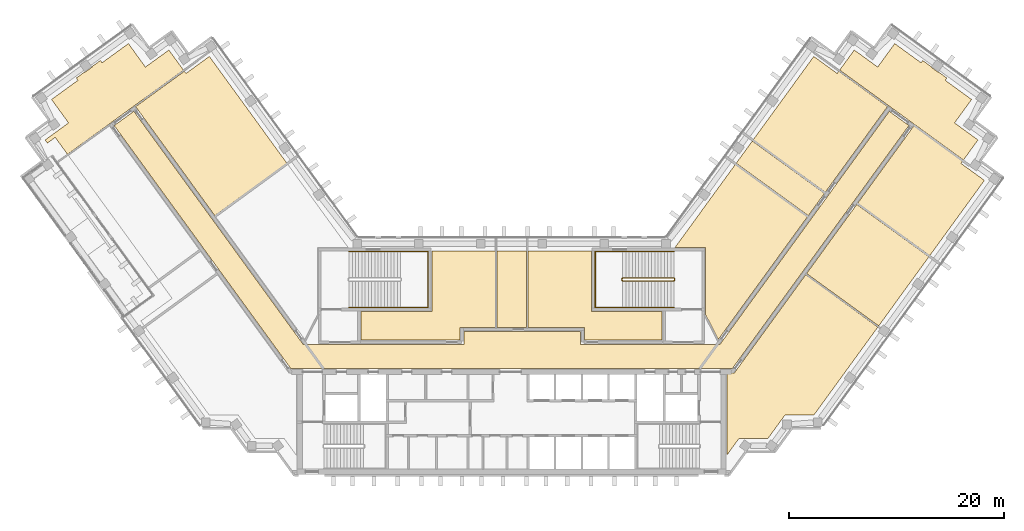
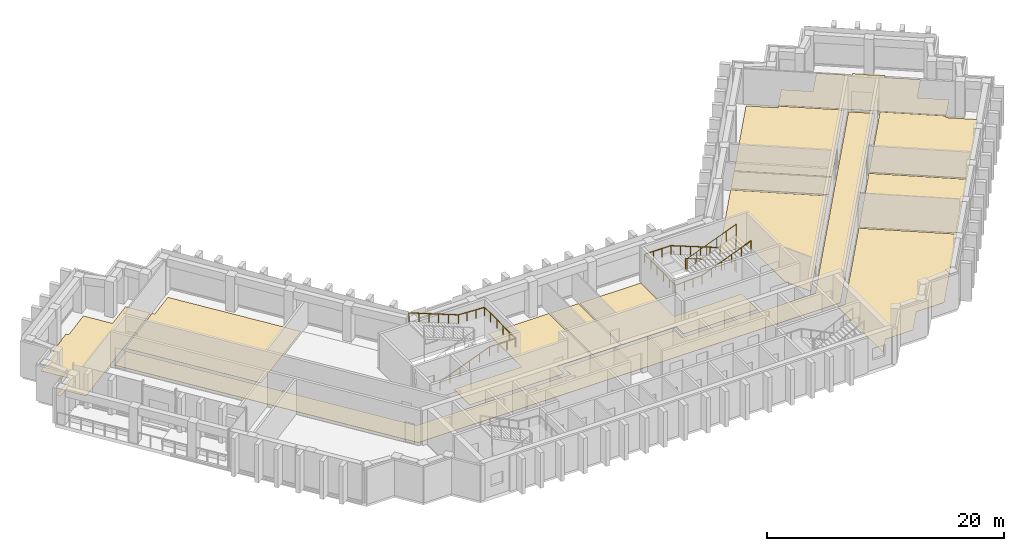
# One storey, part 12 of 12: 13 coverings, 3 railings.
"""IFC4 building model written with IfcOpenShell, lengths in metres."""

from ifc_helpers import new_model, si_unit, direction, frame, origin, origin_2d, place, context, subcontext, project, spatial, polyline, circle, outline, extrude, material, layer, layer_set, type_object, element, save


model = new_model("IFC4")

# Units and contexts
model_context = context("Model", 3, precision=1e-05, world=origin(), true_north=direction((0.0, 1.0)))
body_context = subcontext(model_context, "Body", "Model", "MODEL_VIEW")
ifc_project = project(units=[si_unit("LENGTHUNIT", "METRE"), si_unit("AREAUNIT", "SQUARE_METRE"), si_unit("VOLUMEUNIT", "CUBIC_METRE"), si_unit("PLANEANGLEUNIT", "RADIAN"), si_unit("MASSUNIT", "GRAM", prefix="KILO")], contexts=[model_context])

# Site, building, storey
site_placement = place(None, origin())
site = spatial("IfcSite", under=ifc_project, at=site_placement, CompositionType="ELEMENT")
building_placement = place(site_placement, origin())
building = spatial("IfcBuilding", under=site, at=building_placement, Name="Quipu Civic Tower", CompositionType="ELEMENT")
storey_placement = place(building_placement, frame((0.0, 0.0, 152.0)))
storey = spatial("IfcBuildingStorey", under=building, at=storey_placement, Name="L35", CompositionType="ELEMENT", Elevation=152.0)

# Coverings
ifc_material_1 = material(Name="Carpet tile on raised access floor")
ifc_layer_1 = layer(ifc_material_1, 0.02001953125)
ifc_layer_set_1 = layer_set([ifc_layer_1], Name="Carpet tile on raised access floor")
covering_type_1 = type_object("IfcCoveringType", Name="Carpet tile floor finish 20", PredefinedType="FLOORING", material=ifc_layer_set_1)
covering_1_placement = place(storey_placement, origin())
element("IfcCovering", 1, at=covering_1_placement, inside=storey, type_object=covering_type_1, Name="Carpet tile floor finish 20", PredefinedType="FLOORING", context=body_context, shape_type="SweptSolid", body=[
    extrude(outline(polyline([(-43.47802734375, 20.18505859375), (-41.2939453125, 21.77294921875), (-42.881103515625, 23.95703125), (-40.424072265625, 25.740966796875), (-40.574951171875, 25.952880859375), (-39.81298828125, 26.507080078125), (-39.80908203125, 26.5029296875), (-39.804931640625, 26.5009765625), (-39.801025390625, 26.498046875), (-39.7958984375, 26.49609375), (-39.7919921875, 26.4951171875), (-39.787109375, 26.493896484375), (-39.781982421875, 26.492919921875), (-39.777099609375, 26.492919921875), (-39.77197265625, 26.493896484375), (-39.76806640625, 26.4951171875), (-39.762939453125, 26.49609375), (-39.758056640625, 26.498046875), (-39.75390625, 26.5), (-39.75, 26.5029296875), (-39.10302734375, 26.972900390625), (-39.09912109375, 26.97607421875), (-39.094970703125, 26.97998046875), (-39.092041015625, 26.98291015625), (-39.089111328125, 26.987060546875), (-39.0869140625, 26.991943359375), (-39.0849609375, 26.99609375), (-39.083984375, 27.0009765625), (-39.0830078125, 27.006103515625), (-39.08203125, 27.010986328125), (-39.08203125, 27.014892578125), (-39.08203125, 27.02001953125), (-39.0830078125, 27.02490234375), (-39.0849609375, 27.030029296875), (-39.0869140625, 27.033935546875), (-38.324951171875, 27.587890625), (-38.169921875, 27.37890625), (-35.712890625, 29.1640625), (-34.126953125, 26.97998046875), (-31.94189453125, 28.56591796875), (-30.583984375, 26.697021484375), (-41.39208984375, 18.844970703125), (-42.537109375, 20.422119140625), (-43.26611328125, 19.89404296875), (-43.47802734375, 20.18505859375)])), origin(), (0.0, 0.0, 1.0), 0.02001953125),
])
covering_2_placement = place(storey_placement, origin())
element("IfcCovering", 2, at=covering_2_placement, inside=storey, type_object=covering_type_1, Name="Carpet tile floor finish 20", PredefinedType="FLOORING", context=body_context, shape_type="SweptSolid", body=[
    extrude(outline(polyline([(15.238037109375, 10.169921875), (20.85498046875, 17.90087890625), (27.577880859375, 13.01708984375), (19.27197265625, 1.583984375), (18.070068359375, 3.94189453125), (18.070068359375, 10.1689453125), (15.238037109375, 10.169921875)])), origin(), (0.0, 0.0, 1.0), 0.02001953125),
])
covering_3_placement = place(storey_placement, origin())
element("IfcCovering", 3, at=covering_3_placement, inside=storey, type_object=covering_type_1, Name="Carpet tile floor finish 20", PredefinedType="FLOORING", context=body_context, shape_type="SweptSolid", body=[
    extrude(outline(polyline([(22.52490234375, 20.197998046875), (28.169921875, 27.968994140625), (30.35302734375, 26.383056640625), (30.5009765625, 26.583984375), (35.0400390625, 23.2880859375), (29.248046875, 15.31396484375), (22.52490234375, 20.197998046875)])), origin(), (0.0, 0.0, 1.0), 0.02001953125),
])
covering_4_placement = place(storey_placement, origin())
element("IfcCovering", 4, at=covering_4_placement, inside=storey, type_object=covering_type_1, Name="Carpet tile floor finish 20", PredefinedType="FLOORING", context=body_context, shape_type="SweptSolid", body=[
    extrude(outline(polyline([(20.070068359375, -9.195068359375), (20.070068359375, -1.52001953125), (20.77490234375, -1.51904296875), (27.416015625, 7.62109375), (34.138916015625, 2.738037109375), (28.181884765625, -5.4609375), (25.48193359375, -5.4619140625), (23.89501953125, -7.64599609375), (21.196044921875, -7.64599609375), (20.070068359375, -9.195068359375)])), origin(), (0.0, 0.0, 1.0), 0.02001953125),
])
covering_5_placement = place(storey_placement, origin())
element("IfcCovering", 5, at=covering_5_placement, inside=storey, type_object=covering_type_1, Name="Carpet tile floor finish 20", PredefinedType="FLOORING", context=body_context, shape_type="SweptSolid", body=[
    extrude(outline(polyline([(-14.030029296875, 1.52001953125), (-14.030029296875, 4.179931640625), (-7.429931640625, 4.180908203125), (-7.429931640625, 9.830078125), (-1.510009765625, 9.830078125), (-1.510009765625, 2.719970703125), (-4.819091796875, 2.719970703125), (-4.820068359375, 1.52001953125), (-14.030029296875, 1.52001953125)])), origin(), (0.0, 0.0, 1.0), 0.02001953125),
])
covering_6_placement = place(storey_placement, origin())
element("IfcCovering", 6, at=covering_6_placement, inside=storey, type_object=covering_type_1, Name="Carpet tile floor finish 20", PredefinedType="FLOORING", context=body_context, shape_type="SweptSolid", body=[
    extrude(outline(polyline([(-35.0400390625, 23.2880859375), (-30.5009765625, 26.583984375), (-30.35302734375, 26.383056640625), (-28.169921875, 27.968994140625), (-20.93798828125, 18.013916015625), (-27.660888671875, 13.1298828125), (-35.0400390625, 23.2880859375)])), origin(), (0.0, 0.0, 1.0), 0.02001953125),
])
covering_7_placement = place(storey_placement, origin())
element("IfcCovering", 7, at=covering_7_placement, inside=storey, type_object=covering_type_1, Name="Carpet tile floor finish 20", PredefinedType="FLOORING", context=body_context, shape_type="SweptSolid", body=[
    extrude(outline(polyline([(30.583984375, 26.697021484375), (31.94189453125, 28.56591796875), (34.126953125, 26.97998046875), (35.712890625, 29.1640625), (38.169921875, 27.37890625), (38.324951171875, 27.587890625), (39.0869140625, 27.033935546875), (39.0849609375, 27.030029296875), (39.0830078125, 27.02490234375), (39.08203125, 27.02001953125), (39.08203125, 27.014892578125), (39.08203125, 27.010986328125), (39.0830078125, 27.006103515625), (39.083984375, 27.0009765625), (39.0849609375, 26.99609375), (39.0869140625, 26.991943359375), (39.089111328125, 26.987060546875), (39.092041015625, 26.98291015625), (39.094970703125, 26.97998046875), (39.09912109375, 26.97607421875), (39.10302734375, 26.972900390625), (39.75, 26.5029296875), (39.75390625, 26.5), (39.758056640625, 26.498046875), (39.762939453125, 26.49609375), (39.76806640625, 26.4951171875), (39.77197265625, 26.493896484375), (39.777099609375, 26.492919921875), (39.781982421875, 26.492919921875), (39.787109375, 26.493896484375), (39.7919921875, 26.4951171875), (39.7958984375, 26.49609375), (39.801025390625, 26.498046875), (39.804931640625, 26.5009765625), (39.80908203125, 26.5029296875), (39.81298828125, 26.507080078125), (40.574951171875, 25.952880859375), (40.424072265625, 25.740966796875), (42.881103515625, 23.95703125), (41.2939453125, 21.77294921875), (43.47802734375, 20.18505859375), (42.12109375, 18.31591796875), (30.583984375, 26.697021484375)])), origin(), (0.0, 0.0, 1.0), 0.02001953125),
])
ifc_material_2 = material(Name="Ceramic floor tile")
ifc_layer_2 = layer(ifc_material_2, 0.030029296875)
ifc_layer_set_2 = layer_set([ifc_layer_2], Name="Ceramic floor tile")
covering_type_2 = type_object("IfcCoveringType", Name="Ceramic tile floor finish 30", PredefinedType="FLOORING", material=ifc_layer_set_2)
covering_8_placement = place(storey_placement, origin())
element("IfcCovering", 8, at=covering_8_placement, inside=storey, type_object=covering_type_2, Name="Ceramic tile floor finish 30", PredefinedType="FLOORING", context=body_context, shape_type="SweptSolid", body=[
    extrude(outline(polyline([(27.4990234375, 7.73388671875), (32.177001953125, 14.174072265625), (38.89990234375, 9.291015625), (34.221923828125, 2.85107421875), (27.4990234375, 7.73388671875)])), origin(), (0.0, 0.0, 1.0), 0.030029296875),
])
covering_9_placement = place(storey_placement, origin())
element("IfcCovering", 9, at=covering_9_placement, inside=storey, type_object=covering_type_2, Name="Ceramic tile floor finish 30", PredefinedType="FLOORING", context=body_context, shape_type="SweptSolid", body=[
    extrude(outline(polyline([(1.510009765625, 2.719970703125), (1.510009765625, 9.830078125), (7.429931640625, 9.830078125), (7.430908203125, 4.179931640625), (14.030029296875, 4.179931640625), (14.030029296875, 1.52001953125), (6.820068359375, 1.52001953125), (6.818115234375, 2.719970703125), (1.510009765625, 2.719970703125)])), origin(), (0.0, 0.0, 1.0), 0.030029296875),
])
covering_10_placement = place(storey_placement, origin())
element("IfcCovering", 10, at=covering_10_placement, inside=storey, type_object=covering_type_2, Name="Ceramic tile floor finish 30", PredefinedType="FLOORING", context=body_context, shape_type="SweptSolid", body=[
    extrude(outline(polyline([(-1.368896484375, 2.719970703125), (-1.368896484375, 9.830078125), (1.368896484375, 9.830078125), (1.368896484375, 2.719970703125), (-1.368896484375, 2.719970703125)])), origin(), (0.0, 0.0, 1.0), 0.030029296875),
])
ifc_material_3 = material(Name="Sealed cement screed")
ifc_layer_3 = layer(ifc_material_3, 0.050048828125)
ifc_layer_set_3 = layer_set([ifc_layer_3], Name="Sealed cement screed")
covering_type_3 = type_object("IfcCoveringType", Name="Sealed screed floor finish 50", PredefinedType="FLOORING", material=ifc_layer_set_3)
covering_11_placement = place(storey_placement, origin())
element("IfcCovering", 11, at=covering_11_placement, inside=storey, type_object=covering_type_3, Name="Sealed screed floor finish 50", PredefinedType="FLOORING", context=body_context, shape_type="SweptSolid", body=[
    extrude(outline(polyline([(20.93798828125, 18.013916015625), (22.44189453125, 20.0849609375), (29.1650390625, 15.200927734375), (27.660888671875, 13.1298828125), (20.93798828125, 18.013916015625)])), origin(), (0.0, 0.0, 1.0), 0.050048828125),
])
covering_12_placement = place(storey_placement, origin())
element("IfcCovering", 12, at=covering_12_placement, inside=storey, type_object=covering_type_3, Name="Sealed screed floor finish 50", PredefinedType="FLOORING", context=body_context, shape_type="SweptSolid", body=[
    extrude(outline(polyline([(32.260009765625, 14.287109375), (37.4990234375, 21.5), (42.0380859375, 18.201904296875), (41.89208984375, 17.9990234375), (44.074951171875, 16.4140625), (38.98291015625, 9.404052734375), (32.260009765625, 14.287109375)])), origin(), (0.0, 0.0, 1.0), 0.050048828125),
])

# Railings
ifc_material_4 = material(Name="Stainless steel", Category="steel")
railing_type_1 = type_object("IfcRailingType", Name="Stair guard 1100", PredefinedType="GUARDRAIL", material=ifc_material_4)
railing_1_placement = place(storey_placement, frame((15.14990234375, 7.300048828125, 0.11767578125)))
element("IfcRailing", 13, at=railing_1_placement, inside=storey, type_object=railing_type_1, Name="Stair 4 guard", PredefinedType="GUARDRAIL", context=body_context, shape_type="SweptSolid", body=[
    extrude(circle(Radius=0.02392578125, at=origin_2d()), frame((0.0, 0.0, 1.076171875), z_axis=(-0.930970042603, 0.0, 0.365095576219), x_axis=(0.0, -1.0, 0.0)), (0.0, 0.0, 1.0), 5.15576171875),
    extrude(circle(Radius=0.02392578125, at=origin_2d()), frame((-4.7998046875, 0.0, 2.95849609375), z_axis=(-0.707106781187, -0.707106781187, 0.0), x_axis=(0.707106781187, -0.707106781187, 0.0)), (0.0, 0.0, 1.0), 0.07080078125),
    extrude(circle(Radius=0.02392578125, at=origin_2d()), frame((-4.849853515625, -0.050048828125, 2.95849609375), z_axis=(0.0, -1.0, 0.0), x_axis=(1.0, 0.0, 0.0)), (0.0, 0.0, 1.0), 0.14990234375),
    extrude(circle(Radius=0.02392578125, at=origin_2d()), frame((-4.849853515625, -0.199951171875, 2.95849609375), z_axis=(0.364463019033, -0.364463019033, 0.856932561824), x_axis=(0.707106781187, 0.707106781187, 0.0)), (0.0, 0.0, 1.0), 0.13720703125),
    extrude(circle(Radius=0.02392578125, at=origin_2d()), frame((-4.7998046875, -0.25, 3.076171875), z_axis=(0.930970042603, 0.0, 0.365095576219), x_axis=(0.0, 1.0, 0.0)), (0.0, 0.0, 1.0), 5.15576171875),
    extrude(circle(Radius=0.02392578125, at=origin_2d()), frame((0.0, -0.25, 4.95849609375), z_axis=(0.012495627992, 0.049921557685, -0.998674970829), x_axis=(-0.970072785993, 0.242814311512, 0.0)), (0.0, 0.0, 1.0), 4.00537109375),
    extrude(circle(Radius=0.02392578125, at=origin_2d()), frame((0.050048828125, -0.050048828125, 0.95849609375), z_axis=(0.0, -1.0, 0.0), x_axis=(1.0, 0.0, 0.0)), (0.0, 0.0, 1.0), 0.14990234375),
    extrude(circle(Radius=0.02099609375, at=origin_2d()), origin(), (0.0, 0.0, 1.0), 1.052001953125),
    extrude(circle(Radius=0.02099609375, at=origin_2d()), frame((-0.9599609375, 0.0, 0.37646484375)), (0.0, 0.0, 1.0), 1.052001953125),
    extrude(circle(Radius=0.02099609375, at=origin_2d()), frame((-1.919921875, 0.0, 0.7529296875)), (0.0, 0.0, 1.0), 1.052001953125),
    extrude(circle(Radius=0.02099609375, at=origin_2d()), frame((-2.8798828125, 0.0, 1.12939453125)), (0.0, 0.0, 1.0), 1.052001953125),
    extrude(circle(Radius=0.02099609375, at=origin_2d()), frame((-3.83984375, 0.0, 1.505859375)), (0.0, 0.0, 1.0), 1.052001953125),
    extrude(circle(Radius=0.02099609375, at=origin_2d()), frame((-4.7998046875, 0.0, 1.88232421875)), (0.0, 0.0, 1.0), 1.052001953125),
    extrude(circle(Radius=0.02099609375, at=origin_2d()), frame((-4.849853515625, -0.050048828125, 1.88232421875)), (0.0, 0.0, 1.0), 1.052001953125),
    extrude(circle(Radius=0.02099609375, at=origin_2d()), frame((-4.849853515625, -0.199951171875, 1.88232421875)), (0.0, 0.0, 1.0), 1.052001953125),
    extrude(circle(Radius=0.02099609375, at=origin_2d()), frame((-4.7998046875, -0.25, 2.0)), (0.0, 0.0, 1.0), 1.052001953125),
    extrude(circle(Radius=0.02099609375, at=origin_2d()), frame((-3.83984375, -0.25, 2.37646484375)), (0.0, 0.0, 1.0), 1.052001953125),
    extrude(circle(Radius=0.02099609375, at=origin_2d()), frame((-2.8798828125, -0.25, 2.7529296875)), (0.0, 0.0, 1.0), 1.052001953125),
    extrude(circle(Radius=0.02099609375, at=origin_2d()), frame((-1.919921875, -0.25, 3.12939453125)), (0.0, 0.0, 1.0), 1.052001953125),
    extrude(circle(Radius=0.02099609375, at=origin_2d()), frame((-0.9599609375, -0.25, 3.505859375)), (0.0, 0.0, 1.0), 1.052001953125),
    extrude(circle(Radius=0.02099609375, at=origin_2d()), frame((0.0, -0.25, 3.88232421875)), (0.0, 0.0, 1.0), 1.052001953125),
    extrude(circle(Radius=0.02099609375, at=origin_2d()), frame((0.012451171875, -0.199951171875, 2.88232421875)), (0.0, 0.0, 1.0), 1.052001953125),
    extrude(circle(Radius=0.02099609375, at=origin_2d()), frame((0.02490234375, -0.14990234375, 1.88232421875)), (0.0, 0.0, 1.0), 1.052001953125),
    extrude(circle(Radius=0.02099609375, at=origin_2d()), frame((0.03759765625, -0.10009765625, 0.88232421875)), (0.0, 0.0, 1.0), 1.052001953125),
    extrude(circle(Radius=0.02099609375, at=origin_2d()), frame((0.050048828125, -0.050048828125, -0.11767578125)), (0.0, 0.0, 1.0), 1.052001953125),
    extrude(circle(Radius=0.02099609375, at=origin_2d()), frame((0.050048828125, -0.199951171875, -0.11767578125)), (0.0, 0.0, 1.0), 1.052001953125),
])
ifc_material_5 = material(Name="Stainless steel", Category="steel")
railing_type_2 = type_object("IfcRailingType", Name="Stair handrail", PredefinedType="HANDRAIL", material=ifc_material_5)
railing_2_placement = place(storey_placement, frame((-15.14990234375, 4.550048828125, 0.11767578125)))
element("IfcRailing", 14, at=railing_2_placement, inside=storey, type_object=railing_type_2, Name="Stair 3 handrail", PredefinedType="HANDRAIL", context=body_context, shape_type="SweptSolid", body=[
    extrude(circle(Radius=0.02392578125, at=origin_2d()), frame((0.0, 0.0, 0.8759765625), z_axis=(0.930970042603, 0.0, 0.365095576219), x_axis=(0.0, 1.0, 0.0)), (0.0, 0.0, 1.0), 5.15576171875),
    extrude(circle(Radius=0.02392578125, at=origin_2d()), frame((4.7998046875, 0.0, 2.75830078125), z_axis=(1.0, 0.0, 0.0), x_axis=(0.0, 1.0, 0.0)), (0.0, 0.0, 1.0), 2.550048828125),
    extrude(circle(Radius=0.02392578125, at=origin_2d()), frame((7.349853515625, 0.0, 2.75830078125), z_axis=(0.0, 1.0, 0.0), x_axis=(-1.0, 0.0, 0.0)), (0.0, 0.0, 1.0), 5.25),
    extrude(circle(Radius=0.02392578125, at=origin_2d()), frame((7.349853515625, 5.25, 2.75830078125), z_axis=(-0.998936948642, 0.0, 0.04609742549), x_axis=(0.0, -1.0, 0.0)), (0.0, 0.0, 1.0), 2.552734375),
    extrude(circle(Radius=0.02392578125, at=origin_2d()), frame((4.7998046875, 5.25, 2.8759765625), z_axis=(-0.930970042603, 0.0, 0.365095576219), x_axis=(0.0, -1.0, 0.0)), (0.0, 0.0, 1.0), 5.15576171875),
    extrude(circle(Radius=0.02099609375, at=origin_2d()), origin(), (0.0, 0.0, 1.0), 0.851806640625),
    extrude(circle(Radius=0.02099609375, at=origin_2d()), frame((0.9599609375, 0.0, 0.37646484375)), (0.0, 0.0, 1.0), 0.851806640625),
    extrude(circle(Radius=0.02099609375, at=origin_2d()), frame((1.919921875, 0.0, 0.7529296875)), (0.0, 0.0, 1.0), 0.851806640625),
    extrude(circle(Radius=0.02099609375, at=origin_2d()), frame((2.8798828125, 0.0, 1.12939453125)), (0.0, 0.0, 1.0), 0.851806640625),
    extrude(circle(Radius=0.02099609375, at=origin_2d()), frame((3.83984375, 0.0, 1.505859375)), (0.0, 0.0, 1.0), 0.851806640625),
    extrude(circle(Radius=0.02099609375, at=origin_2d()), frame((4.7998046875, 0.0, 1.88232421875)), (0.0, 0.0, 1.0), 0.851806640625),
    extrude(circle(Radius=0.02099609375, at=origin_2d()), frame((5.64990234375, 0.0, 1.88232421875)), (0.0, 0.0, 1.0), 0.851806640625),
    extrude(circle(Radius=0.02099609375, at=origin_2d()), frame((6.499755859375, 0.0, 1.88232421875)), (0.0, 0.0, 1.0), 0.851806640625),
    extrude(circle(Radius=0.02099609375, at=origin_2d()), frame((7.349853515625, 0.0, 1.88232421875)), (0.0, 0.0, 1.0), 0.851806640625),
    extrude(circle(Radius=0.02099609375, at=origin_2d()), frame((7.349853515625, 1.050048828125, 1.88232421875)), (0.0, 0.0, 1.0), 0.851806640625),
    extrude(circle(Radius=0.02099609375, at=origin_2d()), frame((7.349853515625, 2.10009765625, 1.88232421875)), (0.0, 0.0, 1.0), 0.851806640625),
    extrude(circle(Radius=0.02099609375, at=origin_2d()), frame((7.349853515625, 3.14990234375, 1.88232421875)), (0.0, 0.0, 1.0), 0.851806640625),
    extrude(circle(Radius=0.02099609375, at=origin_2d()), frame((7.349853515625, 4.199951171875, 1.88232421875)), (0.0, 0.0, 1.0), 0.851806640625),
    extrude(circle(Radius=0.02099609375, at=origin_2d()), frame((7.349853515625, 5.25, 1.88232421875)), (0.0, 0.0, 1.0), 0.851806640625),
    extrude(circle(Radius=0.02099609375, at=origin_2d()), frame((6.499755859375, 5.25, 1.921630859375)), (0.0, 0.0, 1.0), 0.851806640625),
    extrude(circle(Radius=0.02099609375, at=origin_2d()), frame((5.64990234375, 5.25, 1.960693359375)), (0.0, 0.0, 1.0), 0.851806640625),
    extrude(circle(Radius=0.02099609375, at=origin_2d()), frame((4.7998046875, 5.25, 2.0)), (0.0, 0.0, 1.0), 0.851806640625),
    extrude(circle(Radius=0.02099609375, at=origin_2d()), frame((3.83984375, 5.25, 2.37646484375)), (0.0, 0.0, 1.0), 0.851806640625),
    extrude(circle(Radius=0.02099609375, at=origin_2d()), frame((2.8798828125, 5.25, 2.7529296875)), (0.0, 0.0, 1.0), 0.851806640625),
    extrude(circle(Radius=0.02099609375, at=origin_2d()), frame((1.919921875, 5.25, 3.12939453125)), (0.0, 0.0, 1.0), 0.851806640625),
    extrude(circle(Radius=0.02099609375, at=origin_2d()), frame((0.9599609375, 5.25, 3.505859375)), (0.0, 0.0, 1.0), 0.851806640625),
    extrude(circle(Radius=0.02099609375, at=origin_2d()), frame((0.0, 5.25, 3.88232421875)), (0.0, 0.0, 1.0), 0.851806640625),
])
railing_3_placement = place(storey_placement, frame((15.14990234375, 9.800048828125, 0.11767578125)))
element("IfcRailing", 15, at=railing_3_placement, inside=storey, type_object=railing_type_2, Name="Stair 4 handrail", PredefinedType="HANDRAIL", context=body_context, shape_type="SweptSolid", body=[
    extrude(circle(Radius=0.02392578125, at=origin_2d()), frame((0.0, 0.0, 0.8759765625), z_axis=(-0.930970042603, 0.0, 0.365095576219), x_axis=(0.0, -1.0, 0.0)), (0.0, 0.0, 1.0), 5.15576171875),
    extrude(circle(Radius=0.02392578125, at=origin_2d()), frame((-4.7998046875, 0.0, 2.75830078125), z_axis=(-1.0, 0.0, 0.0), x_axis=(0.0, -1.0, 0.0)), (0.0, 0.0, 1.0), 2.550048828125),
    extrude(circle(Radius=0.02392578125, at=origin_2d()), frame((-7.349853515625, 0.0, 2.75830078125), z_axis=(0.0, -1.0, 0.0), x_axis=(1.0, 0.0, 0.0)), (0.0, 0.0, 1.0), 5.25),
    extrude(circle(Radius=0.02392578125, at=origin_2d()), frame((-7.349853515625, -5.25, 2.75830078125), z_axis=(0.998936948642, 0.0, 0.04609742549), x_axis=(0.0, 1.0, 0.0)), (0.0, 0.0, 1.0), 2.552734375),
    extrude(circle(Radius=0.02392578125, at=origin_2d()), frame((-4.7998046875, -5.25, 2.8759765625), z_axis=(0.930970042603, 0.0, 0.365095576219), x_axis=(0.0, 1.0, 0.0)), (0.0, 0.0, 1.0), 5.15576171875),
    extrude(circle(Radius=0.02099609375, at=origin_2d()), origin(), (0.0, 0.0, 1.0), 0.851806640625),
    extrude(circle(Radius=0.02099609375, at=origin_2d()), frame((-0.9599609375, 0.0, 0.37646484375)), (0.0, 0.0, 1.0), 0.851806640625),
    extrude(circle(Radius=0.02099609375, at=origin_2d()), frame((-1.919921875, 0.0, 0.7529296875)), (0.0, 0.0, 1.0), 0.851806640625),
    extrude(circle(Radius=0.02099609375, at=origin_2d()), frame((-2.8798828125, 0.0, 1.12939453125)), (0.0, 0.0, 1.0), 0.851806640625),
    extrude(circle(Radius=0.02099609375, at=origin_2d()), frame((-3.83984375, 0.0, 1.505859375)), (0.0, 0.0, 1.0), 0.851806640625),
    extrude(circle(Radius=0.02099609375, at=origin_2d()), frame((-4.7998046875, 0.0, 1.88232421875)), (0.0, 0.0, 1.0), 0.851806640625),
    extrude(circle(Radius=0.02099609375, at=origin_2d()), frame((-5.64990234375, 0.0, 1.88232421875)), (0.0, 0.0, 1.0), 0.851806640625),
    extrude(circle(Radius=0.02099609375, at=origin_2d()), frame((-6.499755859375, 0.0, 1.88232421875)), (0.0, 0.0, 1.0), 0.851806640625),
    extrude(circle(Radius=0.02099609375, at=origin_2d()), frame((-7.349853515625, 0.0, 1.88232421875)), (0.0, 0.0, 1.0), 0.851806640625),
    extrude(circle(Radius=0.02099609375, at=origin_2d()), frame((-7.349853515625, -1.050048828125, 1.88232421875)), (0.0, 0.0, 1.0), 0.851806640625),
    extrude(circle(Radius=0.02099609375, at=origin_2d()), frame((-7.349853515625, -2.10009765625, 1.88232421875)), (0.0, 0.0, 1.0), 0.851806640625),
    extrude(circle(Radius=0.02099609375, at=origin_2d()), frame((-7.349853515625, -3.14990234375, 1.88232421875)), (0.0, 0.0, 1.0), 0.851806640625),
    extrude(circle(Radius=0.02099609375, at=origin_2d()), frame((-7.349853515625, -4.199951171875, 1.88232421875)), (0.0, 0.0, 1.0), 0.851806640625),
    extrude(circle(Radius=0.02099609375, at=origin_2d()), frame((-7.349853515625, -5.25, 1.88232421875)), (0.0, 0.0, 1.0), 0.851806640625),
    extrude(circle(Radius=0.02099609375, at=origin_2d()), frame((-6.499755859375, -5.25, 1.921630859375)), (0.0, 0.0, 1.0), 0.851806640625),
    extrude(circle(Radius=0.02099609375, at=origin_2d()), frame((-5.64990234375, -5.25, 1.960693359375)), (0.0, 0.0, 1.0), 0.851806640625),
    extrude(circle(Radius=0.02099609375, at=origin_2d()), frame((-4.7998046875, -5.25, 2.0)), (0.0, 0.0, 1.0), 0.851806640625),
    extrude(circle(Radius=0.02099609375, at=origin_2d()), frame((-3.83984375, -5.25, 2.37646484375)), (0.0, 0.0, 1.0), 0.851806640625),
    extrude(circle(Radius=0.02099609375, at=origin_2d()), frame((-2.8798828125, -5.25, 2.7529296875)), (0.0, 0.0, 1.0), 0.851806640625),
    extrude(circle(Radius=0.02099609375, at=origin_2d()), frame((-1.919921875, -5.25, 3.12939453125)), (0.0, 0.0, 1.0), 0.851806640625),
    extrude(circle(Radius=0.02099609375, at=origin_2d()), frame((-0.9599609375, -5.25, 3.505859375)), (0.0, 0.0, 1.0), 0.851806640625),
    extrude(circle(Radius=0.02099609375, at=origin_2d()), frame((0.0, -5.25, 3.88232421875)), (0.0, 0.0, 1.0), 0.851806640625),
])

# Covering
ifc_material_6 = material(Name="Terrazzo floor finish")
ifc_layer_4 = layer(ifc_material_6, 0.0400390625)
ifc_layer_set_4 = layer_set([ifc_layer_4], Name="Terrazzo floor finish")
covering_type_4 = type_object("IfcCoveringType", Name="Terrazzo floor finish 40", PredefinedType="FLOORING", material=ifc_layer_set_4)
covering_13_placement = place(storey_placement, origin())
element("IfcCovering", 16, at=covering_13_placement, inside=storey, type_object=covering_type_4, Name="Terrazzo floor finish 40", PredefinedType="FLOORING", context=body_context, shape_type="SweptSolid", body=[
    extrude(outline(polyline([(19.425048828125, 1.1298828125), (35.208984375, 22.85498046875), (37.037109375, 21.527099609375), (20.574951171875, -1.1298828125), (-20.574951171875, -1.1298828125), (-37.037109375, 21.527099609375), (-35.208984375, 22.85498046875), (-19.425048828125, 1.1298828125), (-4.429931640625, 1.1298828125), (-4.429931640625, 2.330078125), (6.429931640625, 2.330078125), (6.429931640625, 1.1298828125), (19.425048828125, 1.1298828125)])), origin(), (0.0, 0.0, 1.0), 0.0400390625),
])

save(model, "model.ifc")
